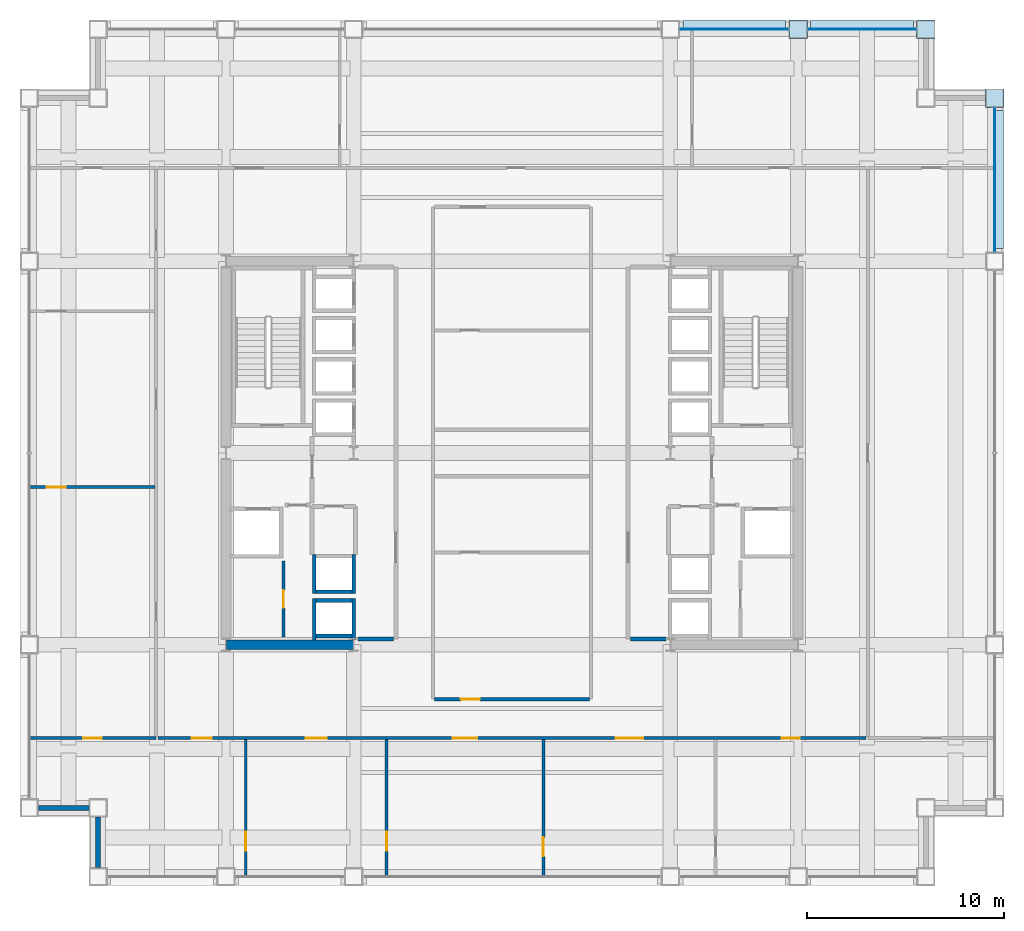
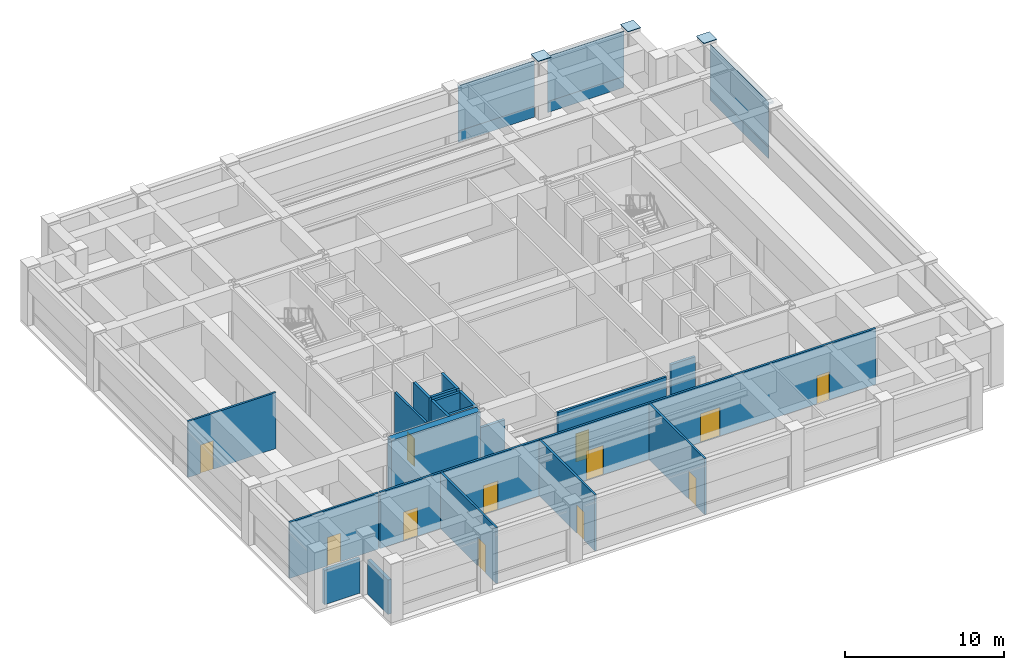
# One storey, part 25 of 29: 20 walls, 12 doors, 12 plates, 12 openings, 3 elements without a shape of their own.
"""IFC4 building model written with IfcOpenShell, lengths in metres."""

from ifc_helpers import new_model, si_unit, direction, frame, frame_2d, origin, origin_2d, place, context, subcontext, project, spatial, rectangle, extrude, material, layer, layer_set, type_object, element, fill, aggregate, save


model = new_model("IFC4")

# Units and contexts
model_context = context("Model", 3, precision=1e-05, world=origin(), true_north=direction((0.0, 1.0)))
body_context = subcontext(model_context, "Body", "Model", "MODEL_VIEW")
ifc_project = project(units=[si_unit("LENGTHUNIT", "METRE"), si_unit("AREAUNIT", "SQUARE_METRE"), si_unit("VOLUMEUNIT", "CUBIC_METRE"), si_unit("PLANEANGLEUNIT", "RADIAN"), si_unit("MASSUNIT", "GRAM", prefix="KILO")], contexts=[model_context])

# Site, building, storey
site_placement = place(None, origin())
site = spatial("IfcSite", under=ifc_project, at=site_placement, CompositionType="ELEMENT")
building_placement = place(site_placement, origin())
building = spatial("IfcBuilding", under=site, at=building_placement, Name="Brelmoor Portico Tower", CompositionType="ELEMENT")
storey_placement = place(building_placement, frame((0.0, 0.0, 82.800048828125)))
storey = spatial("IfcBuildingStorey", under=building, at=storey_placement, Name="L21", CompositionType="ELEMENT", Elevation=82.800048828125)

# Plates
ifc_material_1 = material(Name="Steel Q355B", Category="steel")
ifc_layer_1 = layer(ifc_material_1, 0.044921875)
ifc_layer_set_1 = layer_set([ifc_layer_1], Name="Steel Q355B")
plate_type_1 = type_object("IfcPlateType", Name="PT-CAP-650", PredefinedType="SHEET", material=ifc_layer_set_1)
for number, where, z_axis, x_axis, name in (
    (1, (14.550048828125, 21.550048828125, 4.5), (0.0, 0.0, 1.0), (1.0, 0.0, 0.0), "L21 Perimeter Mega-Column PN05 Welded Head Cap Plate"),
    (2, (21.050048828125, 21.550048828125, 4.5), (0.0, 0.0, 1.0), (1.0, 0.0, 0.0), "L21 Perimeter Mega-Column PN06 Welded Head Cap Plate"),
    (3, (24.550048828125, 18.050048828125, 4.5), (0.0, 0.0, 1.0), (0.0, 1.0, 0.0), "L21 Perimeter Mega-Column PE04 Welded Head Cap Plate"),
):
    element("IfcPlate", number, at=place(storey_placement, frame(where, z_axis=z_axis, x_axis=x_axis)), inside=storey, type_object=plate_type_1, Name=name, PredefinedType="SHEET", context=body_context, shape_type="SweptSolid", body=[
        extrude(rectangle(XDim=0.93994140625, YDim=0.93994140625, at=origin_2d()), origin(), (0.0, 0.0, 1.0), 0.0400390625),
    ])

# Curtain wall, plate
ifc_material_2 = material(Name="Anodised Aluminium Alloy 6063-T6", Category="aluminium")
ifc_layer_2 = layer(ifc_material_2, 0.179931640625)
ifc_layer_set_2 = layer_set([ifc_layer_2], Name="Anodised Aluminium Alloy 6063-T6")
curtain_wall_type = type_object("IfcCurtainWallType", Name="CW-TOWER-Z1", PredefinedType="NOTDEFINED", material=ifc_layer_set_2)
curtain_wall_1_placement = place(storey_placement, origin())
curtain_wall_1 = element("IfcCurtainWall", 4, at=curtain_wall_1_placement, inside=storey, type_object=curtain_wall_type, Name="L21 Curtain Wall CW-L21-02-4", PredefinedType="NOTDEFINED")
ifc_material_3 = material(Name="Double-Silver Low-E Insulated Glazing", Category="glass")
ifc_layer_3 = layer(ifc_material_3, 0.035888671875)
ifc_layer_set_3 = layer_set([ifc_layer_3], Name="Double-Silver Low-E Insulated Glazing")
plate_type_2 = type_object("IfcPlateType", Name="PT-CW-GLASS", PredefinedType="CURTAIN_PANEL", material=ifc_layer_set_3)
plate_1_placement = place(storey_placement, frame((11.300048828125, 21.550048828125, 0.85009765625), z_axis=(0.0, 0.0, 1.0), x_axis=(1.0, 0.0, 0.0)))
plate_1 = element("IfcPlate", 5, at=plate_1_placement, type_object=plate_type_2, Name="CW-L21-02-4 Vision Glass Panel 00", PredefinedType="CURTAIN_PANEL", context=body_context, shape_type="SweptSolid", body=[
    extrude(rectangle(XDim=5.550048828125, YDim=0.035888671875, at=origin_2d()), origin(), (0.0, 0.0, 1.0), 3.449951171875),
])

curtain_wall_2_placement = place(storey_placement, origin())
curtain_wall_2 = element("IfcCurtainWall", 6, at=curtain_wall_2_placement, inside=storey, type_object=curtain_wall_type, Name="L21 Curtain Wall CW-L21-02-5", PredefinedType="NOTDEFINED")
plate_2_placement = place(storey_placement, frame((17.800048828125, 21.550048828125, 0.85009765625), z_axis=(0.0, 0.0, 1.0), x_axis=(1.0, 0.0, 0.0)))
plate_2 = element("IfcPlate", 7, at=plate_2_placement, type_object=plate_type_2, Name="CW-L21-02-5 Vision Glass Panel 00", PredefinedType="CURTAIN_PANEL", context=body_context, shape_type="SweptSolid", body=[
    extrude(rectangle(XDim=5.550048828125, YDim=0.035888671875, at=origin_2d()), origin(), (0.0, 0.0, 1.0), 3.449951171875),
])

curtain_wall_3_placement = place(storey_placement, origin())
curtain_wall_3 = element("IfcCurtainWall", 8, at=curtain_wall_3_placement, inside=storey, type_object=curtain_wall_type, Name="L21 Curtain Wall CW-L21-04-3", PredefinedType="NOTDEFINED")
plate_3_placement = place(storey_placement, frame((24.550048828125, 13.89990234375, 0.85009765625), z_axis=(0.0, 0.0, 1.0), x_axis=(0.0, 1.0, 0.0)))
plate_3 = element("IfcPlate", 9, at=plate_3_placement, type_object=plate_type_2, Name="CW-L21-04-3 Vision Glass Panel 00", PredefinedType="CURTAIN_PANEL", context=body_context, shape_type="SweptSolid", body=[
    extrude(rectangle(XDim=7.35009765625, YDim=0.035888671875, at=origin_2d()), origin(), (0.0, 0.0, 1.0), 3.449951171875),
])

# Plate
ifc_material_4 = material(Name="Pale Champagne Anodised Aluminium Panel", Category="aluminium")
ifc_layer_4 = layer(ifc_material_4, 0.050048828125)
ifc_layer_set_4 = layer_set([ifc_layer_4], Name="Pale Champagne Anodised Aluminium Panel")
plate_type_3 = type_object("IfcPlateType", Name="PT-CW-SPANDREL", PredefinedType="SHEET", material=ifc_layer_set_4)
plate_4_placement = place(storey_placement, frame((11.300048828125, 21.550048828125, 0.0), z_axis=(0.0, 0.0, 1.0), x_axis=(1.0, 0.0, 0.0)))
plate_4 = element("IfcPlate", 10, at=plate_4_placement, type_object=plate_type_3, Name="CW-L21-02-4 Spandrel Panel 00", PredefinedType="SHEET", context=body_context, shape_type="SweptSolid", body=[
    extrude(rectangle(XDim=5.550048828125, YDim=0.050048828125, at=origin_2d()), origin(), (0.0, 0.0, 1.0), 0.85009765625),
])

aggregate(curtain_wall_1, [plate_4, plate_1])

plate_5_placement = place(storey_placement, frame((17.800048828125, 21.550048828125, 0.0), z_axis=(0.0, 0.0, 1.0), x_axis=(1.0, 0.0, 0.0)))
plate_5 = element("IfcPlate", 11, at=plate_5_placement, type_object=plate_type_3, Name="CW-L21-02-5 Spandrel Panel 00", PredefinedType="SHEET", context=body_context, shape_type="SweptSolid", body=[
    extrude(rectangle(XDim=5.550048828125, YDim=0.050048828125, at=origin_2d()), origin(), (0.0, 0.0, 1.0), 0.85009765625),
])

aggregate(curtain_wall_2, [plate_5, plate_2])

plate_6_placement = place(storey_placement, frame((24.550048828125, 13.89990234375, 0.0), z_axis=(0.0, 0.0, 1.0), x_axis=(0.0, 1.0, 0.0)))
plate_6 = element("IfcPlate", 12, at=plate_6_placement, type_object=plate_type_3, Name="CW-L21-04-3 Spandrel Panel 00", PredefinedType="SHEET", context=body_context, shape_type="SweptSolid", body=[
    extrude(rectangle(XDim=7.35009765625, YDim=0.050048828125, at=origin_2d()), origin(), (0.0, 0.0, 1.0), 0.85009765625),
])

aggregate(curtain_wall_3, [plate_6, plate_3])

# Plates
ifc_material_5 = material(Name="Pale Champagne Perforated Aluminium Solar Screen", Category="aluminium")
ifc_layer_5 = layer(ifc_material_5, 0.054931640625)
ifc_layer_set_5 = layer_set([ifc_layer_5], Name="Pale Champagne Perforated Aluminium Solar Screen")
plate_type_4 = type_object("IfcPlateType", Name="PT-SOLAR-LOUVRE", PredefinedType="SHEET", material=ifc_layer_set_5)
for number, where, z_axis, x_axis, name in (
    (13, (11.300048828125, 21.760009765625, 3.990234375), (0.0, 0.0, 1.0), (1.0, 0.0, 0.0), "CW-L21-02-4 Caribbean Brise-Soleil Solar Screen"),
    (14, (17.800048828125, 21.760009765625, 3.990234375), (0.0, 0.0, 1.0), (1.0, 0.0, 0.0), "CW-L21-02-5 Caribbean Brise-Soleil Solar Screen"),
):
    element("IfcPlate", number, at=place(storey_placement, frame(where, z_axis=z_axis, x_axis=x_axis)), inside=storey, type_object=plate_type_4, Name=name, PredefinedType="SHEET", context=body_context, shape_type="SweptSolid", body=[
        extrude(rectangle(XDim=5.219970703125, YDim=0.4599609375, at=origin_2d()), origin(), (0.0, 0.0, 1.0), 0.139892578125),
    ])
plate_7_placement = place(storey_placement, frame((24.760009765625, 13.89990234375, 3.990234375), z_axis=(0.0, 0.0, 1.0), x_axis=(0.0, 1.0, 0.0)))
element("IfcPlate", 15, at=plate_7_placement, inside=storey, type_object=plate_type_4, Name="CW-L21-04-3 Caribbean Brise-Soleil Solar Screen", PredefinedType="SHEET", context=body_context, shape_type="SweptSolid", body=[
    extrude(rectangle(XDim=7.02001953125, YDim=0.4599609375, at=origin_2d()), origin(), (0.0, 0.0, 1.0), 0.139892578125),
])

# Walls
ifc_material_6 = material(Name="Concrete C60", Category="concrete")
ifc_layer_6 = layer(ifc_material_6, 0.5)
ifc_layer_set_6 = layer_set([ifc_layer_6], Name="Concrete C60")
wall_type_1 = type_object("IfcWallType", Name="WL-CORE-500", PredefinedType="SHEAR", material=ifc_layer_set_6)
wall_1_placement = place(storey_placement, frame((-14.530029296875, -9.75, -0.199951171875), z_axis=(0.0, 0.0, 1.0), x_axis=(1.0, 0.0, 0.0)))
element("IfcWall", 16, at=wall_1_placement, inside=storey, type_object=wall_type_1, Name="L21 WC South Shear Wall", PredefinedType="SHEAR", context=body_context, shape_type="SweptSolid", body=[
    extrude(rectangle(XDim=6.4599609375, YDim=0.5, at=frame_2d((3.22998046875, 0.0))), origin(), (0.0, 0.0, 1.0), 4.5),
])
ifc_material_7 = material(Name="Precast Concrete C40 Insulated Facade Wall", Category="concrete")
ifc_layer_7 = layer(ifc_material_7, 0.25)
ifc_layer_set_7 = layer_set([ifc_layer_7], Name="Precast Concrete C40 Insulated Facade Wall")
wall_type_2 = type_object("IfcWallType", Name="WL-EXT-250", PredefinedType="STANDARD", material=ifc_layer_set_7)
for number, where, z_axis, x_axis, name in (
    (17, (-24.090087890625, -18.050048828125, 0.0), (0.0, 0.0, 1.0), (1.0, 0.0, 0.0), "L21 Corner Notch Facade Wall NSWH1"),
    (18, (-21.050048828125, -21.090087890625, 0.0), (0.0, 0.0, 1.0), (0.0, 1.0, 0.0), "L21 Corner Notch Facade Wall NSWV1"),
):
    element("IfcWall", number, at=place(storey_placement, frame(where, z_axis=z_axis, x_axis=x_axis)), inside=storey, type_object=wall_type_2, Name=name, PredefinedType="STANDARD", context=body_context, shape_type="SweptSolid", body=[
        extrude(rectangle(XDim=2.580078125, YDim=0.25, at=frame_2d((1.2900390625, 0.0))), origin(), (0.0, 0.0, 1.0), 2.639892578125),
    ])

# Wall, opening, door
ifc_material_8 = material(Name="Wet-Area Moisture-Resistant Partition", Category="gypsum")
ifc_layer_8 = layer(ifc_material_8, 0.14990234375)
ifc_layer_set_8 = layer_set([ifc_layer_8], Name="Wet-Area Moisture-Resistant Partition")
wall_type_3 = type_object("IfcWallType", Name="WL-PART-150", PredefinedType="PARTITIONING", material=ifc_layer_set_8)
wall_2_placement = place(storey_placement, frame((-13.538818359375, -21.56005859375, 0.0), z_axis=(0.0, 0.0, 1.0), x_axis=(0.0, 1.0, 0.0)))
wall_2 = element("IfcWall", 19, at=wall_2_placement, inside=storey, type_object=wall_type_3, Name="L21 South Suite Partition 1", PredefinedType="PARTITIONING", context=body_context, shape_type="SweptSolid", body=[
    extrude(rectangle(XDim=7.0, YDim=0.14990234375, at=frame_2d((3.5, 0.0))), origin(), (0.0, 0.0, 1.0), 4.300048828125),
])
opening_1_placement = place(wall_2_placement, frame((1.340087890625, 0.0, 0.0)))
opening_1 = element("IfcOpeningElement", 20, at=opening_1_placement, cuts=wall_2, Name="Opening D-IN2", PredefinedType="OPENING", context=body_context, shape_type="SweptSolid", body=[
    extrude(rectangle(XDim=0.9599609375, YDim=2.179931640625, at=frame_2d((0.47998046875, 1.08984375))), frame((0.0, 0.0849609375, 0.0), z_axis=(0.0, -1.0, 0.0), x_axis=(1.0, 0.0, 0.0)), (0.0, 0.0, 1.0), 0.169921875),
])
ifc_material_9 = material(Name="Lacquered Timber Suite Door", Category="wood")
door_type_1 = type_object("IfcDoorType", Name="DR-INT-950", OperationType="NOTDEFINED", PredefinedType="DOOR", material=ifc_material_9)
door_1_placement = place(opening_1_placement, origin())
door_1 = element("IfcDoor", 21, at=door_1_placement, inside=storey, type_object=door_type_1, Name="D-0953 L21 South Suite Connecting Door 1", OperationType="SINGLE_SWING_LEFT", OverallHeight=2.179931640625, OverallWidth=0.9599609375, PredefinedType="DOOR", context=body_context, shape_type="SweptSolid", body=[
    extrude(rectangle(XDim=0.9599609375, YDim=2.179931640625, at=frame_2d((0.47998046875, 1.08984375))), frame((0.0, 0.02490234375, 0.0), z_axis=(0.0, -1.0, 0.0), x_axis=(1.0, 0.0, 0.0)), (0.0, 0.0, 1.0), 0.050048828125),
])
fill(opening_1, door_1)

wall_3_placement = place(storey_placement, frame((-6.37109375, -21.56005859375, 0.0), z_axis=(0.0, 0.0, 1.0), x_axis=(0.0, 1.0, 0.0)))
wall_3 = element("IfcWall", 22, at=wall_3_placement, inside=storey, type_object=wall_type_3, Name="L21 South Suite Partition 2", PredefinedType="PARTITIONING", context=body_context, shape_type="SweptSolid", body=[
    extrude(rectangle(XDim=7.0, YDim=0.14990234375, at=frame_2d((3.5, 0.0))), origin(), (0.0, 0.0, 1.0), 4.300048828125),
])
opening_2_placement = place(wall_3_placement, frame((1.340087890625, 0.0, 0.0)))
opening_2 = element("IfcOpeningElement", 23, at=opening_2_placement, cuts=wall_3, Name="Opening D-IN2", PredefinedType="OPENING", context=body_context, shape_type="SweptSolid", body=[
    extrude(rectangle(XDim=0.9599609375, YDim=2.179931640625, at=frame_2d((0.47998046875, 1.08984375))), frame((0.0, 0.0849609375, 0.0), z_axis=(0.0, -1.0, 0.0), x_axis=(1.0, 0.0, 0.0)), (0.0, 0.0, 1.0), 0.169921875),
])
door_2_placement = place(opening_2_placement, origin())
door_2 = element("IfcDoor", 24, at=door_2_placement, inside=storey, type_object=door_type_1, Name="D-0954 L21 South Suite Connecting Door 2", OperationType="SINGLE_SWING_RIGHT", OverallHeight=2.179931640625, OverallWidth=0.9599609375, PredefinedType="DOOR", context=body_context, shape_type="SweptSolid", body=[
    extrude(rectangle(XDim=0.9599609375, YDim=2.179931640625, at=frame_2d((0.47998046875, 1.08984375))), frame((0.0, 0.02490234375, 0.0), z_axis=(0.0, -1.0, 0.0), x_axis=(1.0, 0.0, 0.0)), (0.0, 0.0, 1.0), 0.050048828125),
])
fill(opening_2, door_2)

wall_4_placement = place(storey_placement, frame((1.5927734375, -21.56005859375, 0.0), z_axis=(0.0, 0.0, 1.0), x_axis=(0.0, 1.0, 0.0)))
wall_4 = element("IfcWall", 25, at=wall_4_placement, inside=storey, type_object=wall_type_3, Name="L21 South Suite Partition 3", PredefinedType="PARTITIONING", context=body_context, shape_type="SweptSolid", body=[
    extrude(rectangle(XDim=7.0, YDim=0.14990234375, at=frame_2d((3.5, 0.0))), origin(), (0.0, 0.0, 1.0), 4.300048828125),
])
opening_3_placement = place(wall_4_placement, frame((1.050048828125, 0.0, 0.0)))
opening_3 = element("IfcOpeningElement", 26, at=opening_3_placement, cuts=wall_4, Name="Opening D-IN2", PredefinedType="OPENING", context=body_context, shape_type="SweptSolid", body=[
    extrude(rectangle(XDim=0.9599609375, YDim=2.179931640625, at=frame_2d((0.47998046875, 1.08984375))), frame((0.0, 0.0849609375, 0.0), z_axis=(0.0, -1.0, 0.0), x_axis=(1.0, 0.0, 0.0)), (0.0, 0.0, 1.0), 0.169921875),
])
door_3_placement = place(opening_3_placement, origin())
door_3 = element("IfcDoor", 27, at=door_3_placement, inside=storey, type_object=door_type_1, Name="D-0955 L21 South Suite Connecting Door 3", OperationType="SINGLE_SWING_LEFT", OverallHeight=2.179931640625, OverallWidth=0.9599609375, PredefinedType="DOOR", context=body_context, shape_type="SweptSolid", body=[
    extrude(rectangle(XDim=0.9599609375, YDim=2.179931640625, at=frame_2d((0.47998046875, 1.08984375))), frame((0.0, 0.02490234375, 0.0), z_axis=(0.0, -1.0, 0.0), x_axis=(1.0, 0.0, 0.0)), (0.0, 0.0, 1.0), 0.050048828125),
])
fill(opening_3, door_3)

wall_5_placement = place(storey_placement, frame((-24.56005859375, -14.5, 0.0), z_axis=(0.0, 0.0, 1.0), x_axis=(1.0, 0.0, 0.0)))
wall_5 = element("IfcWall", 28, at=wall_5_placement, inside=storey, type_object=wall_type_3, Name="L21 South Outer Closure WL", PredefinedType="PARTITIONING", context=body_context, shape_type="SweptSolid", body=[
    extrude(rectangle(XDim=6.4599609375, YDim=0.14990234375, at=frame_2d((3.22998046875, 0.0))), origin(), (0.0, 0.0, 1.0), 4.300048828125),
])
opening_4_placement = place(wall_5_placement, frame((2.75, 0.0, 0.0)))
opening_4 = element("IfcOpeningElement", 29, at=opening_4_placement, cuts=wall_5, Name="Opening D-IN2", PredefinedType="OPENING", context=body_context, shape_type="SweptSolid", body=[
    extrude(rectangle(XDim=0.9599609375, YDim=2.179931640625, at=frame_2d((0.47998046875, 1.08984375))), frame((0.0, 0.0849609375, 0.0), z_axis=(0.0, -1.0, 0.0), x_axis=(1.0, 0.0, 0.0)), (0.0, 0.0, 1.0), 0.169921875),
])
door_4_placement = place(opening_4_placement, origin())
door_4 = element("IfcDoor", 30, at=door_4_placement, inside=storey, type_object=door_type_1, Name="D-0960 L21 WL South Corner Suite Door", OperationType="SINGLE_SWING_LEFT", OverallHeight=2.179931640625, OverallWidth=0.9599609375, PredefinedType="DOOR", context=body_context, shape_type="SweptSolid", body=[
    extrude(rectangle(XDim=0.9599609375, YDim=2.179931640625, at=frame_2d((0.47998046875, 1.08984375))), frame((0.0, 0.02490234375, 0.0), z_axis=(0.0, -1.0, 0.0), x_axis=(1.0, 0.0, 0.0)), (0.0, 0.0, 1.0), 0.050048828125),
])
fill(opening_4, door_4)

wall_6_placement = place(storey_placement, frame((-24.56005859375, -1.73046875, 0.0), z_axis=(0.0, 0.0, 1.0), x_axis=(1.0, 0.0, 0.0)))
wall_6 = element("IfcWall", 31, at=wall_6_placement, inside=storey, type_object=wall_type_3, Name="L21 W Wing Partition 1", PredefinedType="PARTITIONING", context=body_context, shape_type="SweptSolid", body=[
    extrude(rectangle(XDim=6.400146484375, YDim=0.14990234375, at=frame_2d((3.2001953125, 0.0))), origin(), (0.0, 0.0, 1.0), 4.300048828125),
])
opening_5_placement = place(wall_6_placement, frame((0.89990234375, 0.0, 0.0)))
opening_5 = element("IfcOpeningElement", 32, at=opening_5_placement, cuts=wall_6, Name="Opening D-IN2", PredefinedType="OPENING", context=body_context, shape_type="SweptSolid", body=[
    extrude(rectangle(XDim=0.9599609375, YDim=2.179931640625, at=frame_2d((0.47998046875, 1.08984375))), frame((0.0, 0.0849609375, 0.0), z_axis=(0.0, -1.0, 0.0), x_axis=(1.0, 0.0, 0.0)), (0.0, 0.0, 1.0), 0.169921875),
])
door_5_placement = place(opening_5_placement, origin())
door_5 = element("IfcDoor", 33, at=door_5_placement, inside=storey, type_object=door_type_1, Name="D-0965 L21 W Wing Suite Connecting Door 1", OperationType="SINGLE_SWING_LEFT", OverallHeight=2.179931640625, OverallWidth=0.9599609375, PredefinedType="DOOR", context=body_context, shape_type="SweptSolid", body=[
    extrude(rectangle(XDim=0.9599609375, YDim=2.179931640625, at=frame_2d((0.47998046875, 1.08984375))), frame((0.0, 0.02490234375, 0.0), z_axis=(0.0, -1.0, 0.0), x_axis=(1.0, 0.0, 0.0)), (0.0, 0.0, 1.0), 0.050048828125),
])
fill(opening_5, door_5)

ifc_material_10 = material(Name="Twin-Frame Acoustic Partition", Category="gypsum")
ifc_layer_9 = layer(ifc_material_10, 0.159912109375)
ifc_layer_set_9 = layer_set([ifc_layer_9], Name="Twin-Frame Acoustic Partition")
wall_type_4 = type_object("IfcWallType", Name="WL-PART-160", PredefinedType="PARTITIONING", material=ifc_layer_set_9)
wall_7_placement = place(storey_placement, frame((-11.6201171875, -9.35009765625, 0.0), z_axis=(0.0, 0.0, 1.0), x_axis=(0.0, 1.0, 0.0)))
wall_7 = element("IfcWall", 34, at=wall_7_placement, inside=storey, type_object=wall_type_4, Name="L21 W Core Service Front Wall", PredefinedType="PARTITIONING", context=body_context, shape_type="SweptSolid", body=[
    extrude(rectangle(XDim=3.85009765625, YDim=0.159912109375, at=frame_2d((1.925048828125, 0.0))), origin(), (0.0, 0.0, 1.0), 4.300048828125),
])
opening_6_placement = place(wall_7_placement, frame((1.47509765625, 0.0, 0.0)))
opening_6 = element("IfcOpeningElement", 35, at=opening_6_placement, cuts=wall_7, Name="Opening D-IN1", PredefinedType="OPENING", context=body_context, shape_type="SweptSolid", body=[
    extrude(rectangle(XDim=0.89990234375, YDim=2.14990234375, at=frame_2d((0.449951171875, 1.074951171875))), frame((0.0, 0.08984375, 0.0), z_axis=(0.0, -1.0, 0.0), x_axis=(1.0, 0.0, 0.0)), (0.0, 0.0, 1.0), 0.179931640625),
])
door_type_2 = type_object("IfcDoorType", Name="DR-INT-900", OperationType="NOTDEFINED", PredefinedType="DOOR", material=ifc_material_9)
door_6_placement = place(opening_6_placement, origin())
door_6 = element("IfcDoor", 36, at=door_6_placement, inside=storey, type_object=door_type_2, Name="D-0934 L21 W Accessible WC Door", OperationType="SINGLE_SWING_RIGHT", OverallHeight=2.14990234375, OverallWidth=0.89990234375, PredefinedType="DOOR", context=body_context, shape_type="SweptSolid", body=[
    extrude(rectangle(XDim=0.89990234375, YDim=2.14990234375, at=frame_2d((0.449951171875, 1.074951171875))), frame((0.0, 0.02490234375, 0.0), z_axis=(0.0, -1.0, 0.0), x_axis=(1.0, 0.0, 0.0)), (0.0, 0.0, 1.0), 0.050048828125),
])
fill(opening_6, door_6)

wall_8_placement = place(storey_placement, frame((-3.949951171875, -12.52001953125, 0.0), z_axis=(0.0, 0.0, 1.0), x_axis=(1.0, 0.0, 0.0)))
wall_8 = element("IfcWall", 37, at=wall_8_placement, inside=storey, type_object=wall_type_4, Name="L21 Central Pantry Corridor Wall", PredefinedType="PARTITIONING", context=body_context, shape_type="SweptSolid", body=[
    extrude(rectangle(XDim=7.89990234375, YDim=0.159912109375, at=frame_2d((3.949951171875, 0.0))), origin(), (0.0, 0.0, 1.0), 4.300048828125),
])
opening_7_placement = place(wall_8_placement, frame((1.35009765625, 0.0, 0.0)))
opening_7 = element("IfcOpeningElement", 38, at=opening_7_placement, cuts=wall_8, Name="Opening D-IN2", PredefinedType="OPENING", context=body_context, shape_type="SweptSolid", body=[
    extrude(rectangle(XDim=0.9599609375, YDim=2.179931640625, at=frame_2d((0.47998046875, 1.08984375))), frame((0.0, 0.08984375, 0.0), z_axis=(0.0, -1.0, 0.0), x_axis=(1.0, 0.0, 0.0)), (0.0, 0.0, 1.0), 0.179931640625),
])
door_7_placement = place(opening_7_placement, origin())
door_7 = element("IfcDoor", 39, at=door_7_placement, inside=storey, type_object=door_type_1, Name="D-0929 L21 Staff Pantry Door", OperationType="SINGLE_SWING_RIGHT", OverallHeight=2.179931640625, OverallWidth=0.9599609375, PredefinedType="DOOR", context=body_context, shape_type="SweptSolid", body=[
    extrude(rectangle(XDim=0.9599609375, YDim=2.179931640625, at=frame_2d((0.47998046875, 1.08984375))), frame((0.0, 0.02490234375, 0.0), z_axis=(0.0, -1.0, 0.0), x_axis=(1.0, 0.0, 0.0)), (0.0, 0.0, 1.0), 0.050048828125),
])
fill(opening_7, door_7)

# Wall, openings, doors
wall_9_placement = place(storey_placement, frame((-18.0, -14.5, 0.0), z_axis=(0.0, 0.0, 1.0), x_axis=(1.0, 0.0, 0.0)))
wall_9 = element("IfcWall", 40, at=wall_9_placement, inside=storey, type_object=wall_type_4, Name="L21 South Corridor Partition", PredefinedType="PARTITIONING", context=body_context, shape_type="SweptSolid", body=[
    extrude(rectangle(XDim=36.0, YDim=0.159912109375, at=frame_2d((18.0, 0.0))), origin(), (0.0, 0.0, 1.0), 4.300048828125),
])
opening_8_placement = place(wall_9_placement, frame((1.720703125, 0.0, 0.0)))
opening_8 = element("IfcOpeningElement", 41, at=opening_8_placement, cuts=wall_9, Name="Opening D-OF1", PredefinedType="OPENING", context=body_context, shape_type="SweptSolid", body=[
    extrude(rectangle(XDim=1.02001953125, YDim=2.199951171875, at=frame_2d((0.510009765625, 1.10009765625))), frame((0.0, 0.08984375, 0.0), z_axis=(0.0, -1.0, 0.0), x_axis=(1.0, 0.0, 0.0)), (0.0, 0.0, 1.0), 0.179931640625),
])
opening_9_placement = place(wall_9_placement, frame((7.514892578125, 0.0, 0.0)))
opening_9 = element("IfcOpeningElement", 42, at=opening_9_placement, cuts=wall_9, Name="Opening D-OF2", PredefinedType="OPENING", context=body_context, shape_type="SweptSolid", body=[
    extrude(rectangle(XDim=1.06005859375, YDim=2.199951171875, at=frame_2d((0.530029296875, 1.10009765625))), frame((0.0, 0.08984375, 0.0), z_axis=(0.0, -1.0, 0.0), x_axis=(1.0, 0.0, 0.0)), (0.0, 0.0, 1.0), 0.179931640625),
])
opening_10_placement = place(wall_9_placement, frame((14.99072265625, 0.0, 0.0)))
opening_10 = element("IfcOpeningElement", 43, at=opening_10_placement, cuts=wall_9, Name="Opening D-SU1", PredefinedType="OPENING", context=body_context, shape_type="SweptSolid", body=[
    extrude(rectangle(XDim=1.239990234375, YDim=2.239990234375, at=frame_2d((0.6201171875, 1.1201171875))), frame((0.0, 0.08984375, 0.0), z_axis=(0.0, -1.0, 0.0), x_axis=(1.0, 0.0, 0.0)), (0.0, 0.0, 1.0), 0.179931640625),
])
opening_11_placement = place(wall_9_placement, frame((23.27294921875, 0.0, 0.0)))
opening_11 = element("IfcOpeningElement", 44, at=opening_11_placement, cuts=wall_9, Name="Opening D-SU2", PredefinedType="OPENING", context=body_context, shape_type="SweptSolid", body=[
    extrude(rectangle(XDim=1.39990234375, YDim=2.199951171875, at=frame_2d((0.699951171875, 1.10009765625))), frame((0.0, 0.08984375, 0.0), z_axis=(0.0, -1.0, 0.0), x_axis=(1.0, 0.0, 0.0)), (0.0, 0.0, 1.0), 0.179931640625),
])
opening_12_placement = place(wall_9_placement, frame((31.7265625, 0.0, 0.0)))
opening_12 = element("IfcOpeningElement", 45, at=opening_12_placement, cuts=wall_9, Name="Opening D-IN1", PredefinedType="OPENING", context=body_context, shape_type="SweptSolid", body=[
    extrude(rectangle(XDim=0.89990234375, YDim=2.14990234375, at=frame_2d((0.449951171875, 1.074951171875))), frame((0.0, 0.08984375, 0.0), z_axis=(0.0, -1.0, 0.0), x_axis=(1.0, 0.0, 0.0)), (0.0, 0.0, 1.0), 0.179931640625),
])
door_8_placement = place(opening_12_placement, origin())
door_8 = element("IfcDoor", 46, at=door_8_placement, inside=storey, type_object=door_type_2, Name="D-0952 L21 South Reading Library 5 Door", OperationType="SINGLE_SWING_RIGHT", OverallHeight=2.14990234375, OverallWidth=0.89990234375, PredefinedType="DOOR", context=body_context, shape_type="SweptSolid", body=[
    extrude(rectangle(XDim=0.89990234375, YDim=2.14990234375, at=frame_2d((0.449951171875, 1.074951171875))), frame((0.0, 0.02490234375, 0.0), z_axis=(0.0, -1.0, 0.0), x_axis=(1.0, 0.0, 0.0)), (0.0, 0.0, 1.0), 0.050048828125),
])
fill(opening_12, door_8)
ifc_material_11 = material(Name="Hardwood Acoustic Veneer Door", Category="wood")
door_type_3 = type_object("IfcDoorType", Name="DR-OFFICE-1000", OperationType="NOTDEFINED", PredefinedType="DOOR", material=ifc_material_11)
door_9_placement = place(opening_8_placement, origin())
door_9 = element("IfcDoor", 47, at=door_9_placement, inside=storey, type_object=door_type_3, Name="D-0948 L21 South Technical Archive Store 1 Door", OperationType="SINGLE_SWING_LEFT", OverallHeight=2.199951171875, OverallWidth=1.02001953125, PredefinedType="DOOR", context=body_context, shape_type="SweptSolid", body=[
    extrude(rectangle(XDim=1.02001953125, YDim=2.199951171875, at=frame_2d((0.510009765625, 1.10009765625))), frame((0.0, 0.02490234375, 0.0), z_axis=(0.0, -1.0, 0.0), x_axis=(1.0, 0.0, 0.0)), (0.0, 0.0, 1.0), 0.050048828125),
])
fill(opening_8, door_9)
door_type_4 = type_object("IfcDoorType", Name="DR-OFFICE-1050", OperationType="NOTDEFINED", PredefinedType="DOOR", material=ifc_material_11)
door_10_placement = place(opening_9_placement, origin())
door_10 = element("IfcDoor", 48, at=door_10_placement, inside=storey, type_object=door_type_4, Name="D-0949 L21 South Client Reception Room 2 Door", OperationType="SINGLE_SWING_RIGHT", OverallHeight=2.199951171875, OverallWidth=1.06005859375, PredefinedType="DOOR", context=body_context, shape_type="SweptSolid", body=[
    extrude(rectangle(XDim=1.06005859375, YDim=2.199951171875, at=frame_2d((0.530029296875, 1.10009765625))), frame((0.0, 0.02490234375, 0.0), z_axis=(0.0, -1.0, 0.0), x_axis=(1.0, 0.0, 0.0)), (0.0, 0.0, 1.0), 0.050048828125),
])
fill(opening_9, door_10)
ifc_material_12 = material(Name="Glazed Timber Executive Suite Door", Category="wood")
door_type_5 = type_object("IfcDoorType", Name="DR-SUITE-1200", OperationType="NOTDEFINED", PredefinedType="DOOR", material=ifc_material_12)
door_11_placement = place(opening_10_placement, origin())
door_11 = element("IfcDoor", 49, at=door_11_placement, inside=storey, type_object=door_type_5, Name="D-0950 L21 South Partner Cellular Office 3 Door", OperationType="SINGLE_SWING_LEFT", OverallHeight=2.239990234375, OverallWidth=1.239990234375, PredefinedType="DOOR", context=body_context, shape_type="SweptSolid", body=[
    extrude(rectangle(XDim=1.239990234375, YDim=2.239990234375, at=frame_2d((0.6201171875, 1.1201171875))), frame((0.0, 0.02490234375, 0.0), z_axis=(0.0, -1.0, 0.0), x_axis=(1.0, 0.0, 0.0)), (0.0, 0.0, 1.0), 0.050048828125),
])
fill(opening_10, door_11)
ifc_material_13 = material(Name="Double-Leaf Acoustic Suite Door", Category="timber")
door_type_6 = type_object("IfcDoorType", Name="DR-SUITE-1400", OperationType="NOTDEFINED", PredefinedType="DOOR", material=ifc_material_13)
door_12_placement = place(opening_11_placement, origin())
door_12 = element("IfcDoor", 50, at=door_12_placement, inside=storey, type_object=door_type_6, Name="D-0951 L21 South Open-Plan Office 4 Door", OperationType="DOUBLE_DOOR_SINGLE_SWING", OverallHeight=2.199951171875, OverallWidth=1.39990234375, PredefinedType="DOOR", context=body_context, shape_type="SweptSolid", body=[
    extrude(rectangle(XDim=1.39990234375, YDim=2.199951171875, at=frame_2d((0.699951171875, 1.10009765625))), frame((0.0, 0.02490234375, 0.0), z_axis=(0.0, -1.0, 0.0), x_axis=(1.0, 0.0, 0.0)), (0.0, 0.0, 1.0), 0.050048828125),
])
fill(opening_11, door_12)

# Walls
ifc_material_14 = material(Name="Double-Stud Gypsum Fire Partition", Category="gypsum")
ifc_layer_10 = layer(ifc_material_14, 0.199951171875)
ifc_layer_set_10 = layer_set([ifc_layer_10], Name="Double-Stud Gypsum Fire Partition")
wall_type_5 = type_object("IfcWallType", Name="WL-PART-200", PredefinedType="PARTITIONING", material=ifc_layer_set_10)
for number, where, z_axis, x_axis, name in (
    (51, (-6.02001953125, -9.449951171875, 0.0), (0.0, 0.0, 1.0), (-1.0, 0.0, 0.0), "L21 W Lift Lobby South End Wall"),
    (52, (6.02001953125, -9.449951171875, 0.0), (0.0, 0.0, 1.0), (1.0, 0.0, 0.0), "L21 E Lift Lobby South End Wall"),
):
    element("IfcWall", number, at=place(storey_placement, frame(where, z_axis=z_axis, x_axis=x_axis)), inside=storey, type_object=wall_type_5, Name=name, PredefinedType="PARTITIONING", context=body_context, shape_type="SweptSolid", body=[
        extrude(rectangle(XDim=1.800048828125, YDim=0.199951171875, at=frame_2d((0.89990234375, 0.0))), origin(), (0.0, 0.0, 1.0), 2.639892578125),
    ])
ifc_material_15 = material(Name="Precast Concrete C40", Category="concrete")
ifc_layer_11 = layer(ifc_material_15, 0.18994140625)
ifc_layer_set_11 = layer_set([ifc_layer_11], Name="Precast Concrete C40")
wall_type_6 = type_object("IfcWallType", Name="WL-SHAFT-180", PredefinedType="SOLIDWALL", material=ifc_layer_set_11)
for number, where, z_axis, x_axis, name in (
    (53, (-8.044921875, -9.52001953125, -0.199951171875), (0.0, 0.0, 1.0), (0.0, 1.0, 0.0), "L21 Lift PH1 Hoistway Front Wall"),
    (54, (-10.054931640625, -9.52001953125, -0.199951171875), (0.0, 0.0, 1.0), (0.0, 1.0, 0.0), "L21 Lift PH1 Hoistway Back Wall"),
):
    element("IfcWall", number, at=place(storey_placement, frame(where, z_axis=z_axis, x_axis=x_axis)), inside=storey, type_object=wall_type_6, Name=name, PredefinedType="SOLIDWALL", context=body_context, shape_type="SweptSolid", body=[
        extrude(rectangle(XDim=2.1201171875, YDim=0.18994140625, at=frame_2d((1.06005859375, 0.0))), origin(), (0.0, 0.0, 1.0), 4.5),
    ])
for number, where, z_axis, x_axis, name in (
    (55, (-10.14990234375, -7.4951171875, -0.199951171875), (0.0, 0.0, 1.0), (1.0, 0.0, 0.0), "L21 Lift PH1 Hoistway North Wall"),
    (56, (-10.14990234375, -9.304931640625, -0.199951171875), (0.0, 0.0, 1.0), (1.0, 0.0, 0.0), "L21 Lift PH1 Hoistway South Wall"),
):
    element("IfcWall", number, at=place(storey_placement, frame(where, z_axis=z_axis, x_axis=x_axis)), inside=storey, type_object=wall_type_6, Name=name, PredefinedType="SOLIDWALL", context=body_context, shape_type="SweptSolid", body=[
        extrude(rectangle(XDim=2.199951171875, YDim=0.18994140625, at=frame_2d((1.10009765625, 0.0))), origin(), (0.0, 0.0, 1.0), 4.5),
    ])
for number, where, z_axis, x_axis, name in (
    (57, (-8.044921875, -7.14990234375, -0.199951171875), (0.0, 0.0, 1.0), (0.0, 1.0, 0.0), "L21 Lift PH2 Hoistway Front Wall"),
    (58, (-10.054931640625, -7.14990234375, -0.199951171875), (0.0, 0.0, 1.0), (0.0, 1.0, 0.0), "L21 Lift PH2 Hoistway Back Wall"),
):
    element("IfcWall", number, at=place(storey_placement, frame(where, z_axis=z_axis, x_axis=x_axis)), inside=storey, type_object=wall_type_6, Name=name, PredefinedType="SOLIDWALL", context=body_context, shape_type="SweptSolid", body=[
        extrude(rectangle(XDim=2.0, YDim=0.18994140625, at=frame_2d((1.0, 0.0))), origin(), (0.0, 0.0, 1.0), 4.5),
    ])
wall_10_placement = place(storey_placement, frame((-10.14990234375, -7.054931640625, -0.199951171875), z_axis=(0.0, 0.0, 1.0), x_axis=(1.0, 0.0, 0.0)))
element("IfcWall", 59, at=wall_10_placement, inside=storey, type_object=wall_type_6, Name="L21 Lift PH2 Hoistway South Wall", PredefinedType="SOLIDWALL", context=body_context, shape_type="SweptSolid", body=[
    extrude(rectangle(XDim=2.199951171875, YDim=0.18994140625, at=frame_2d((1.10009765625, 0.0))), origin(), (0.0, 0.0, 1.0), 4.5),
])

save(model, "model.ifc")
